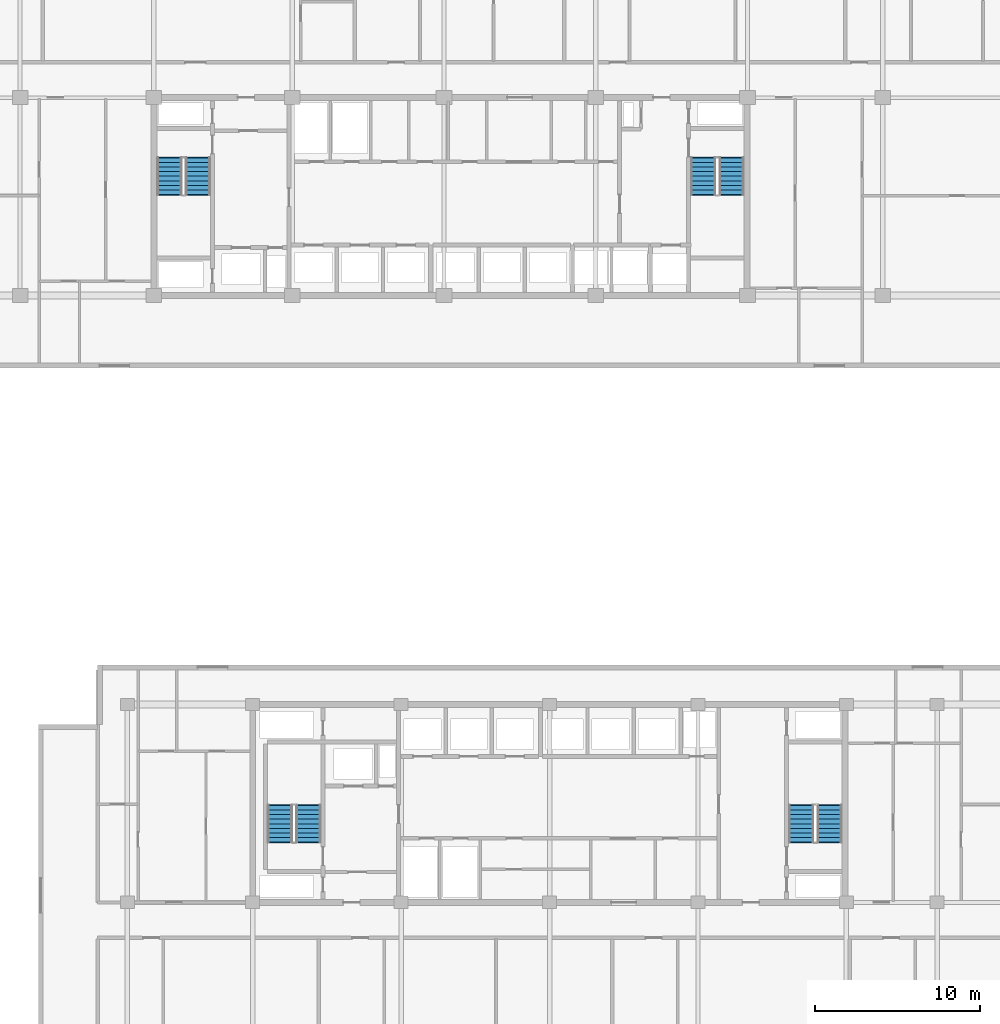
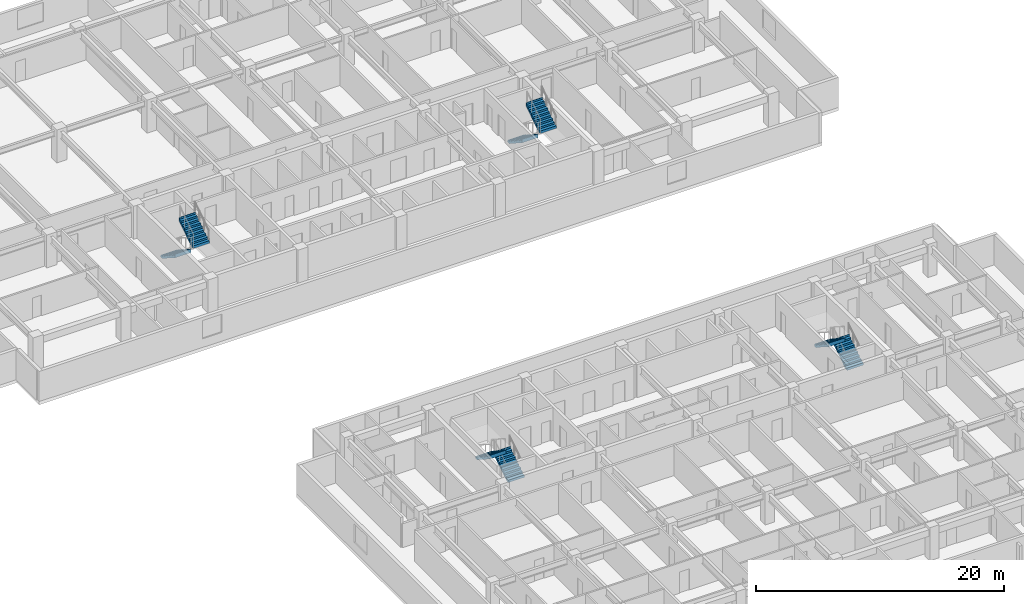
# One storey, part 17 of 22: 8 stair flights, 4 elements without a shape of their own.
"""IFC4 building model written with IfcOpenShell, lengths in metres."""

from ifc_helpers import new_model, si_unit, direction, frame, origin, place, context, subcontext, project, spatial, polyline, outline, extrude, material, type_object, element, aggregate, save


model = new_model("IFC4")

# Units and contexts
model_context = context("Model", 3, precision=1e-05, world=origin(), true_north=direction((0.0, 1.0)))
body_context = subcontext(model_context, "Body", "Model", "MODEL_VIEW")
ifc_project = project(units=[si_unit("LENGTHUNIT", "METRE"), si_unit("AREAUNIT", "SQUARE_METRE"), si_unit("VOLUMEUNIT", "CUBIC_METRE"), si_unit("PLANEANGLEUNIT", "RADIAN"), si_unit("MASSUNIT", "GRAM", prefix="KILO")], contexts=[model_context])

# Site, building, storey
site_placement = place(None, origin())
site = spatial("IfcSite", under=ifc_project, at=site_placement, CompositionType="ELEMENT")
building_placement = place(site_placement, origin())
building = spatial("IfcBuilding", under=site, at=building_placement, Name="Korimba Cascade Residences", CompositionType="ELEMENT")
storey_placement = place(building_placement, frame((0.0, 0.0, 80.800048828125)))
storey = spatial("IfcBuildingStorey", under=building, at=storey_placement, Name="L22", CompositionType="ELEMENT", Elevation=80.800048828125)

# Stair, stair flights
ifc_material = material(Name="Concrete C50/60", Category="concrete")
stair_type_1 = type_object("IfcStairType", Name="STR-W1-18R-1806", PredefinedType="HALF_TURN_STAIR", material=ifc_material)
stair_1_placement = place(storey_placement, origin())
stair_1 = element("IfcStair", 1, at=stair_1_placement, inside=storey, type_object=stair_type_1, Name="L22 Tower 1 West Fire Stair ST-W1", PredefinedType="HALF_TURN_STAIR")
stair_flight_type = type_object("IfcStairFlightType", Name="STF-DL-18R-1806-1520", PredefinedType="STRAIGHT", material=ifc_material)
stair_flight_1_placement = place(storey_placement, frame((77.06005859375, 63.550048828125, 0.0), z_axis=(0.0, 0.0, 1.0), x_axis=(0.0, -1.0, 0.0)))
stair_flight_1 = element("IfcStairFlight", 2, at=stair_flight_1_placement, type_object=stair_flight_type, Name="ST-W1 flight 1", NumberOfRisers=9, NumberOfTreads=8, PredefinedType="STRAIGHT", RiserHeight=0.180555556, TreadLength=0.28, context=body_context, shape_type="SweptSolid", body=[
    extrude(outline(polyline([(-0.0380859375, 0.0), (0.0, 0.1806640625), (0.280029296875, 0.1806640625), (0.280029296875, 0.361083984375), (0.56005859375, 0.361083984375), (0.56005859375, 0.541748046875), (0.840087890625, 0.541748046875), (0.840087890625, 0.72216796875), (1.1201171875, 0.72216796875), (1.1201171875, 0.90283203125), (1.39990234375, 0.90283203125), (1.39990234375, 1.083251953125), (1.679931640625, 1.083251953125), (1.679931640625, 1.263916015625), (1.9599609375, 1.263916015625), (1.9599609375, 1.4443359375), (2.239990234375, 1.4443359375), (2.239990234375, 1.625), (2.278076171875, 1.625), (2.278076171875, 1.26611328125), (0.276611328125, 0.0), (0.276611328125, -0.0380859375), (-0.0380859375, -0.0380859375), (-0.0380859375, 0.0)])), frame((0.0, 0.760009765625, 0.0), z_axis=(0.0, -1.0, 0.0), x_axis=(1.0, 0.0, 0.0)), (0.0, 0.0, 1.0), 1.52001953125),
])
stair_flight_2_placement = place(storey_placement, frame((78.780029296875, 61.31005859375, 1.625), z_axis=(0.0, 0.0, 1.0), x_axis=(0.0, 1.0, 0.0)))
stair_flight_2 = element("IfcStairFlight", 3, at=stair_flight_2_placement, type_object=stair_flight_type, Name="ST-W1 flight 2", NumberOfRisers=9, NumberOfTreads=8, PredefinedType="STRAIGHT", RiserHeight=0.180555556, TreadLength=0.28, context=body_context, shape_type="SweptSolid", body=[
    extrude(outline(polyline([(-0.0380859375, 0.0), (0.0, 0.1806640625), (0.280029296875, 0.1806640625), (0.280029296875, 0.361083984375), (0.56005859375, 0.361083984375), (0.56005859375, 0.541748046875), (0.840087890625, 0.541748046875), (0.840087890625, 0.72216796875), (1.1201171875, 0.72216796875), (1.1201171875, 0.90283203125), (1.39990234375, 0.90283203125), (1.39990234375, 1.083251953125), (1.679931640625, 1.083251953125), (1.679931640625, 1.263916015625), (1.9599609375, 1.263916015625), (1.9599609375, 1.4443359375), (2.239990234375, 1.4443359375), (2.239990234375, 1.625), (2.278076171875, 1.625), (2.278076171875, 1.26611328125), (0.276611328125, 0.0), (0.276611328125, -0.0380859375), (-0.0380859375, -0.0380859375), (-0.0380859375, 0.0)])), frame((0.0, 0.760009765625, 0.0), z_axis=(0.0, -1.0, 0.0), x_axis=(1.0, 0.0, 0.0)), (0.0, 0.0, 1.0), 1.52001953125),
])
aggregate(stair_1, [stair_flight_1, stair_flight_2])

stair_type_2 = type_object("IfcStairType", Name="STR-W2-18R-1806", PredefinedType="HALF_TURN_STAIR", material=ifc_material)
stair_2_placement = place(storey_placement, origin())
stair_2 = element("IfcStair", 4, at=stair_2_placement, inside=storey, type_object=stair_type_2, Name="L22 Tower 1 East Fire Stair ST-W2", PredefinedType="HALF_TURN_STAIR")
stair_flight_3_placement = place(storey_placement, frame((109.419921875, 63.550048828125, 0.0), z_axis=(0.0, 0.0, 1.0), x_axis=(0.0, -1.0, 0.0)))
stair_flight_3 = element("IfcStairFlight", 5, at=stair_flight_3_placement, type_object=stair_flight_type, Name="ST-W2 flight 1", NumberOfRisers=9, NumberOfTreads=8, PredefinedType="STRAIGHT", RiserHeight=0.180555556, TreadLength=0.28, context=body_context, shape_type="SweptSolid", body=[
    extrude(outline(polyline([(-0.0380859375, 0.0), (0.0, 0.1806640625), (0.280029296875, 0.1806640625), (0.280029296875, 0.361083984375), (0.56005859375, 0.361083984375), (0.56005859375, 0.541748046875), (0.840087890625, 0.541748046875), (0.840087890625, 0.72216796875), (1.1201171875, 0.72216796875), (1.1201171875, 0.90283203125), (1.39990234375, 0.90283203125), (1.39990234375, 1.083251953125), (1.679931640625, 1.083251953125), (1.679931640625, 1.263916015625), (1.9599609375, 1.263916015625), (1.9599609375, 1.4443359375), (2.239990234375, 1.4443359375), (2.239990234375, 1.625), (2.278076171875, 1.625), (2.278076171875, 1.26611328125), (0.276611328125, 0.0), (0.276611328125, -0.0380859375), (-0.0380859375, -0.0380859375), (-0.0380859375, 0.0)])), frame((0.0, 0.760009765625, 0.0), z_axis=(0.0, -1.0, 0.0), x_axis=(1.0, 0.0, 0.0)), (0.0, 0.0, 1.0), 1.52001953125),
])
stair_flight_4_placement = place(storey_placement, frame((111.139892578125, 61.31005859375, 1.625), z_axis=(0.0, 0.0, 1.0), x_axis=(0.0, 1.0, 0.0)))
stair_flight_4 = element("IfcStairFlight", 6, at=stair_flight_4_placement, type_object=stair_flight_type, Name="ST-W2 flight 2", NumberOfRisers=9, NumberOfTreads=8, PredefinedType="STRAIGHT", RiserHeight=0.180555556, TreadLength=0.28, context=body_context, shape_type="SweptSolid", body=[
    extrude(outline(polyline([(-0.0380859375, 0.0), (0.0, 0.1806640625), (0.280029296875, 0.1806640625), (0.280029296875, 0.361083984375), (0.56005859375, 0.361083984375), (0.56005859375, 0.541748046875), (0.840087890625, 0.541748046875), (0.840087890625, 0.72216796875), (1.1201171875, 0.72216796875), (1.1201171875, 0.90283203125), (1.39990234375, 0.90283203125), (1.39990234375, 1.083251953125), (1.679931640625, 1.083251953125), (1.679931640625, 1.263916015625), (1.9599609375, 1.263916015625), (1.9599609375, 1.4443359375), (2.239990234375, 1.4443359375), (2.239990234375, 1.625), (2.278076171875, 1.625), (2.278076171875, 1.26611328125), (0.276611328125, 0.0), (0.276611328125, -0.0380859375), (-0.0380859375, -0.0380859375), (-0.0380859375, 0.0)])), frame((0.0, 0.760009765625, 0.0), z_axis=(0.0, -1.0, 0.0), x_axis=(1.0, 0.0, 0.0)), (0.0, 0.0, 1.0), 1.52001953125),
])
aggregate(stair_2, [stair_flight_3, stair_flight_4])

stair_type_3 = type_object("IfcStairType", Name="STR-E1-18R-1806", PredefinedType="HALF_TURN_STAIR", material=ifc_material)
stair_3_placement = place(storey_placement, origin())
stair_3 = element("IfcStair", 7, at=stair_3_placement, inside=storey, type_object=stair_type_3, Name="L22 Tower 2 West Fire Stair ST-E1", PredefinedType="HALF_TURN_STAIR")
stair_flight_5_placement = place(storey_placement, frame((85.47998046875, 22.050048828125, 0.0), z_axis=(0.0, 0.0, 1.0), x_axis=(0.0, 1.0, 0.0)))
stair_flight_5 = element("IfcStairFlight", 8, at=stair_flight_5_placement, type_object=stair_flight_type, Name="ST-E1 flight 1", NumberOfRisers=9, NumberOfTreads=8, PredefinedType="STRAIGHT", RiserHeight=0.180555556, TreadLength=0.28, context=body_context, shape_type="SweptSolid", body=[
    extrude(outline(polyline([(-0.0380859375, 0.0), (0.0, 0.1806640625), (0.280029296875, 0.1806640625), (0.280029296875, 0.361083984375), (0.56005859375, 0.361083984375), (0.56005859375, 0.541748046875), (0.840087890625, 0.541748046875), (0.840087890625, 0.72216796875), (1.1201171875, 0.72216796875), (1.1201171875, 0.90283203125), (1.39990234375, 0.90283203125), (1.39990234375, 1.083251953125), (1.679931640625, 1.083251953125), (1.679931640625, 1.263916015625), (1.9599609375, 1.263916015625), (1.9599609375, 1.4443359375), (2.239990234375, 1.4443359375), (2.239990234375, 1.625), (2.278076171875, 1.625), (2.278076171875, 1.26611328125), (0.276611328125, 0.0), (0.276611328125, -0.0380859375), (-0.0380859375, -0.0380859375), (-0.0380859375, 0.0)])), frame((0.0, 0.760009765625, 0.0), z_axis=(0.0, -1.0, 0.0), x_axis=(1.0, 0.0, 0.0)), (0.0, 0.0, 1.0), 1.52001953125),
])
stair_flight_6_placement = place(storey_placement, frame((83.760009765625, 24.2900390625, 1.625), z_axis=(0.0, 0.0, 1.0), x_axis=(0.0, -1.0, 0.0)))
stair_flight_6 = element("IfcStairFlight", 9, at=stair_flight_6_placement, type_object=stair_flight_type, Name="ST-E1 flight 2", NumberOfRisers=9, NumberOfTreads=8, PredefinedType="STRAIGHT", RiserHeight=0.180555556, TreadLength=0.28, context=body_context, shape_type="SweptSolid", body=[
    extrude(outline(polyline([(-0.0380859375, 0.0), (0.0, 0.1806640625), (0.280029296875, 0.1806640625), (0.280029296875, 0.361083984375), (0.56005859375, 0.361083984375), (0.56005859375, 0.541748046875), (0.840087890625, 0.541748046875), (0.840087890625, 0.72216796875), (1.1201171875, 0.72216796875), (1.1201171875, 0.90283203125), (1.39990234375, 0.90283203125), (1.39990234375, 1.083251953125), (1.679931640625, 1.083251953125), (1.679931640625, 1.263916015625), (1.9599609375, 1.263916015625), (1.9599609375, 1.4443359375), (2.239990234375, 1.4443359375), (2.239990234375, 1.625), (2.278076171875, 1.625), (2.278076171875, 1.26611328125), (0.276611328125, 0.0), (0.276611328125, -0.0380859375), (-0.0380859375, -0.0380859375), (-0.0380859375, 0.0)])), frame((0.0, 0.760009765625, 0.0), z_axis=(0.0, -1.0, 0.0), x_axis=(1.0, 0.0, 0.0)), (0.0, 0.0, 1.0), 1.52001953125),
])
aggregate(stair_3, [stair_flight_5, stair_flight_6])

stair_type_4 = type_object("IfcStairType", Name="STR-E2-18R-1806", PredefinedType="HALF_TURN_STAIR", material=ifc_material)
stair_4_placement = place(storey_placement, origin())
stair_4 = element("IfcStair", 10, at=stair_4_placement, inside=storey, type_object=stair_type_4, Name="L22 Tower 2 East Fire Stair ST-E2", PredefinedType="HALF_TURN_STAIR")
stair_flight_7_placement = place(storey_placement, frame((117.080078125, 22.050048828125, 0.0), z_axis=(0.0, 0.0, 1.0), x_axis=(0.0, 1.0, 0.0)))
stair_flight_7 = element("IfcStairFlight", 11, at=stair_flight_7_placement, type_object=stair_flight_type, Name="ST-E2 flight 1", NumberOfRisers=9, NumberOfTreads=8, PredefinedType="STRAIGHT", RiserHeight=0.180555556, TreadLength=0.28, context=body_context, shape_type="SweptSolid", body=[
    extrude(outline(polyline([(-0.0380859375, 0.0), (0.0, 0.1806640625), (0.280029296875, 0.1806640625), (0.280029296875, 0.361083984375), (0.56005859375, 0.361083984375), (0.56005859375, 0.541748046875), (0.840087890625, 0.541748046875), (0.840087890625, 0.72216796875), (1.1201171875, 0.72216796875), (1.1201171875, 0.90283203125), (1.39990234375, 0.90283203125), (1.39990234375, 1.083251953125), (1.679931640625, 1.083251953125), (1.679931640625, 1.263916015625), (1.9599609375, 1.263916015625), (1.9599609375, 1.4443359375), (2.239990234375, 1.4443359375), (2.239990234375, 1.625), (2.278076171875, 1.625), (2.278076171875, 1.26611328125), (0.276611328125, 0.0), (0.276611328125, -0.0380859375), (-0.0380859375, -0.0380859375), (-0.0380859375, 0.0)])), frame((0.0, 0.760009765625, 0.0), z_axis=(0.0, -1.0, 0.0), x_axis=(1.0, 0.0, 0.0)), (0.0, 0.0, 1.0), 1.52001953125),
])
stair_flight_8_placement = place(storey_placement, frame((115.360107421875, 24.2900390625, 1.625), z_axis=(0.0, 0.0, 1.0), x_axis=(0.0, -1.0, 0.0)))
stair_flight_8 = element("IfcStairFlight", 12, at=stair_flight_8_placement, type_object=stair_flight_type, Name="ST-E2 flight 2", NumberOfRisers=9, NumberOfTreads=8, PredefinedType="STRAIGHT", RiserHeight=0.180555556, TreadLength=0.28, context=body_context, shape_type="SweptSolid", body=[
    extrude(outline(polyline([(-0.0380859375, 0.0), (0.0, 0.1806640625), (0.280029296875, 0.1806640625), (0.280029296875, 0.361083984375), (0.56005859375, 0.361083984375), (0.56005859375, 0.541748046875), (0.840087890625, 0.541748046875), (0.840087890625, 0.72216796875), (1.1201171875, 0.72216796875), (1.1201171875, 0.90283203125), (1.39990234375, 0.90283203125), (1.39990234375, 1.083251953125), (1.679931640625, 1.083251953125), (1.679931640625, 1.263916015625), (1.9599609375, 1.263916015625), (1.9599609375, 1.4443359375), (2.239990234375, 1.4443359375), (2.239990234375, 1.625), (2.278076171875, 1.625), (2.278076171875, 1.26611328125), (0.276611328125, 0.0), (0.276611328125, -0.0380859375), (-0.0380859375, -0.0380859375), (-0.0380859375, 0.0)])), frame((0.0, 0.760009765625, 0.0), z_axis=(0.0, -1.0, 0.0), x_axis=(1.0, 0.0, 0.0)), (0.0, 0.0, 1.0), 1.52001953125),
])
aggregate(stair_4, [stair_flight_7, stair_flight_8])

save(model, "model.ifc")
